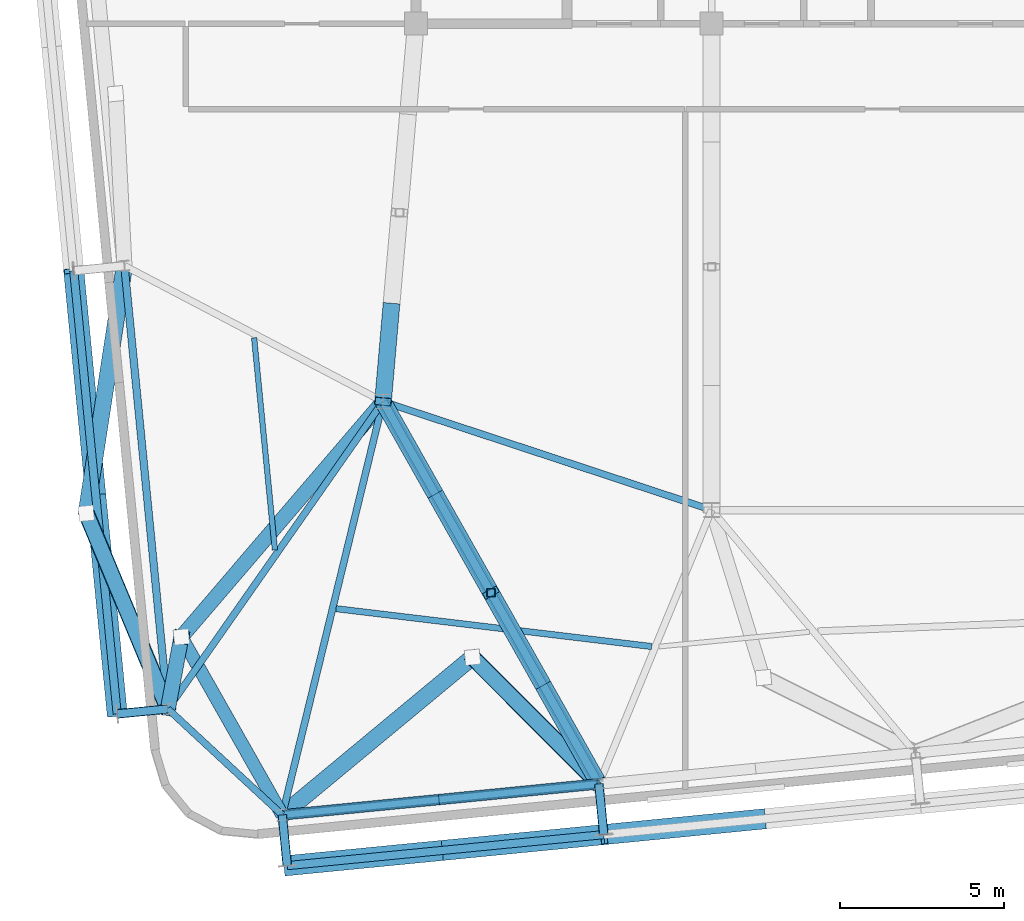
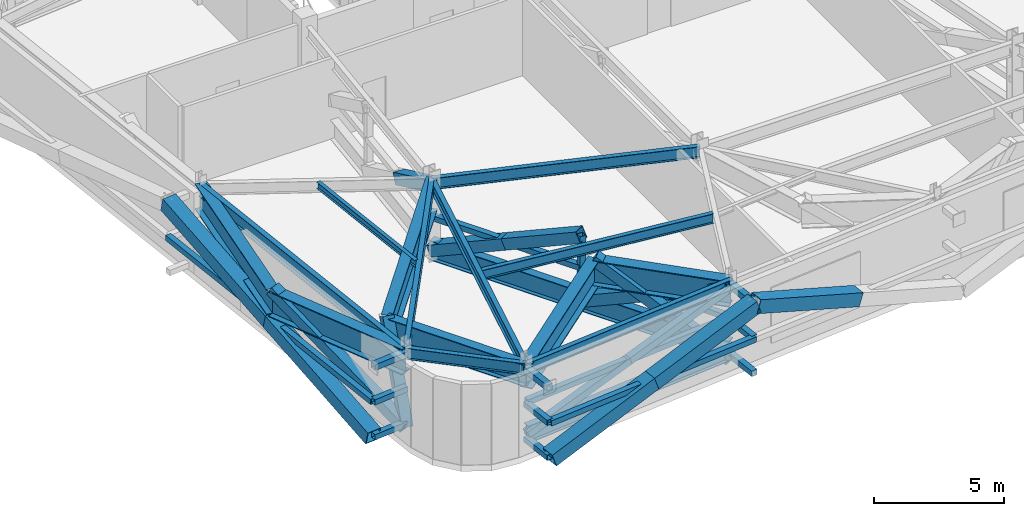
# One storey, part 5 of 24: 32 members, 14 beams.
"""IFC4 building model written with IfcOpenShell, lengths in metres."""

from ifc_helpers import new_model, si_unit, direction, frame, origin, origin_2d, place, context, subcontext, project, spatial, hollow_rectangle, i_section, extrude, source, transform, mapped, material, material_profile, profile_set, type_object, element, save


model = new_model("IFC4")

# Units and contexts
model_context = context("Model", 3, precision=1e-05, world=origin(), true_north=direction((0.0, 1.0)))
body_context = subcontext(model_context, "Body", "Model", "MODEL_VIEW")
ifc_project = project(units=[si_unit("LENGTHUNIT", "METRE"), si_unit("AREAUNIT", "SQUARE_METRE"), si_unit("VOLUMEUNIT", "CUBIC_METRE"), si_unit("PLANEANGLEUNIT", "RADIAN"), si_unit("MASSUNIT", "GRAM", prefix="KILO")], contexts=[model_context])

# Site, building, storey
site_placement = place(None, origin())
site = spatial("IfcSite", under=ifc_project, at=site_placement, CompositionType="ELEMENT")
building_placement = place(site_placement, origin())
building = spatial("IfcBuilding", under=site, at=building_placement, Name="Taldren Reach Tower", CompositionType="ELEMENT")
storey_placement = place(building_placement, frame((0.0, 0.0, 112.35009765625)))
storey = spatial("IfcBuildingStorey", under=building, at=storey_placement, Name="L34", CompositionType="ELEMENT", Elevation=112.35009765625)

# Beam
ifc_material_1 = material(Name="Steel Gr 350 (350PLUS)", Category="steel")
ifc_material_profile_1 = material_profile(ifc_material_1, i_section(OverallWidth=0.208984375, OverallDepth=0.532958984375, WebThickness=0.01025390625, FlangeThickness=0.015625, at=origin_2d()), Name="530UB92.4")
ifc_profile_set_1 = profile_set([ifc_material_profile_1], Name="Steel Gr 350 (350PLUS)")
beam_type_1 = type_object("IfcBeamType", Name="BM-UB530A", PredefinedType="BEAM", material=ifc_profile_set_1)
shared_shape_1 = source(origin(), body_context, "Body", "SweptSolid", [
    extrude(i_section(OverallWidth=0.208984375, OverallDepth=0.532958984375, WebThickness=0.01025390625, FlangeThickness=0.015625, at=origin_2d()), origin(), (0.0, 0.0, 1.0), 10.530517578125),
])
beam_1_placement = place(storey_placement, frame((18.0, 12.5, 3.513427734375), z_axis=(0.949627269203, -0.313381635689, 0.0), x_axis=(0.313381635689, 0.949627269203, 0.0)))
element("IfcBeam", 1, at=beam_1_placement, inside=storey, type_object=beam_type_1, Name="Core-spine girder L34-SP10", PredefinedType="BEAM", context=body_context, shape_type="MappedRepresentation", body=[
    mapped(shared_shape_1, transform((0.0, 0.0, 0.0), scale=1.0)),
])

# Members
ifc_material_2 = material(Name="Steel Gr 350 (C350L0)", Category="steel")
ifc_material_profile_2 = material_profile(ifc_material_2, hollow_rectangle(XDim=0.25, YDim=0.25, WallThickness=0.010009765625, at=origin_2d()), Name="250x250x10.0SHS")
ifc_profile_set_2 = profile_set([ifc_material_profile_2], Name="Steel Gr 350 (C350L0)")
member_type_1 = type_object("IfcMemberType", Name="MB-POST250", PredefinedType="POST", material=ifc_profile_set_2)
shared_shape_2 = source(origin(), body_context, "Body", "SweptSolid", [
    extrude(hollow_rectangle(XDim=0.25, YDim=0.25, WallThickness=0.010009765625, at=origin_2d()), origin(), (0.0, 0.0, 1.0), 1.5048828125),
])
member_1_placement = place(storey_placement, frame((21.283935546875, 6.682373046875, 0.449951171875), z_axis=(0.0, 0.0, 1.0), x_axis=(1.0, 0.0, 0.0)))
element("IfcMember", 2, at=member_1_placement, inside=storey, type_object=member_type_1, Name="Outrigger Transfer Truss Vertical Post OT-W2 L34", PredefinedType="POST", context=body_context, shape_type="MappedRepresentation", body=[
    mapped(shared_shape_2, transform((0.0, 0.0, 0.0), scale=1.0)),
])
shared_shape_3 = source(origin(), body_context, "Body", "SweptSolid", [
    extrude(hollow_rectangle(XDim=0.25, YDim=0.25, WallThickness=0.010009765625, at=origin_2d()), origin(), (0.0, 0.0, 1.0), 1.505126953125),
])
member_2_placement = place(storey_placement, frame((21.283935546875, 6.682373046875, 1.954833984375), z_axis=(0.0, 0.0, 1.0), x_axis=(1.0, 0.0, 0.0)))
element("IfcMember", 3, at=member_2_placement, inside=storey, type_object=member_type_1, Name="Outrigger Transfer Truss Vertical Post OT-W2 L34", PredefinedType="POST", context=body_context, shape_type="MappedRepresentation", body=[
    mapped(shared_shape_3, transform((0.0, 0.0, 0.0), scale=1.0)),
])
ifc_material_3 = material(Name="Steel Gr 450 (C450L0)", Category="steel")
ifc_material_profile_3 = material_profile(ifc_material_3, hollow_rectangle(XDim=0.510009765625, YDim=0.510009765625, WallThickness=0.02001953125, at=origin_2d()), Name="510x510x20.0SHS")
ifc_profile_set_3 = profile_set([ifc_material_profile_3], Name="Steel Gr 450 (C450L0)")
member_type_2 = type_object("IfcMemberType", Name="MB-EXO508", PredefinedType="BRACE", material=ifc_profile_set_3)
shared_shape_4 = source(origin(), body_context, "Body", "SweptSolid", [
    extrude(hollow_rectangle(XDim=0.510009765625, YDim=0.510009765625, WallThickness=0.02001953125, at=origin_2d()), origin(), (0.0, 0.0, 1.0), 3.2548828125),
])
member_3_placement = place(storey_placement, frame((18.25, 15.375, 1.954833984375), z_axis=(-0.076810327051, -0.883318761082, 0.462437174089), x_axis=(0.996240588196, -0.086629616365, 0.0)))
element("IfcMember", 4, at=member_3_placement, inside=storey, type_object=member_type_2, Name="Outrigger Transfer Truss Diagonal OT-W1B L34", PredefinedType="BRACE", context=body_context, shape_type="MappedRepresentation", body=[
    mapped(shared_shape_4, transform((0.0, 0.0, 0.0), scale=1.0)),
])

# Beams
ifc_material_profile_4 = material_profile(ifc_material_1, i_section(OverallWidth=0.208984375, OverallDepth=0.528076171875, WebThickness=0.009521484375, FlangeThickness=0.01318359375, at=origin_2d()), Name="530UB82.0")
ifc_profile_set_4 = profile_set([ifc_material_profile_4], Name="Steel Gr 350 (350PLUS)")
beam_type_2 = type_object("IfcBeamType", Name="SP-UB530B", PredefinedType="SPANDREL", material=ifc_profile_set_4)
shared_shape_5 = source(origin(), body_context, "Body", "SweptSolid", [
    extrude(i_section(OverallWidth=0.208984375, OverallDepth=0.528076171875, WebThickness=0.009521484375, FlangeThickness=0.01318359375, at=origin_2d()), origin(), (0.0, 0.0, 1.0), 9.679931640625),
])
beam_2_placement = place(storey_placement, frame((14.93408203125, -0.079833984375, 3.515869140625), z_axis=(0.995227612658, 0.097580730699, 0.0), x_axis=(-0.097580730699, 0.995227612658, 0.0)))
element("IfcBeam", 5, at=beam_2_placement, inside=storey, type_object=beam_type_2, Name="Perimeter spandrel B2 S1-S2 L34", PredefinedType="SPANDREL", context=body_context, shape_type="MappedRepresentation", body=[
    mapped(shared_shape_5, transform((0.0, 0.0, 0.0), scale=1.0)),
])
ifc_material_profile_5 = material_profile(ifc_material_1, i_section(OverallWidth=0.22802734375, OverallDepth=0.60205078125, WebThickness=0.010498046875, FlangeThickness=0.014892578125, at=origin_2d()), Name="610UB101")
ifc_profile_set_5 = profile_set([ifc_material_profile_5], Name="Steel Gr 350 (350PLUS)")
beam_type_3 = type_object("IfcBeamType", Name="BM-UB610B", PredefinedType="BEAM", material=ifc_profile_set_5)
shared_shape_6 = source(origin(), body_context, "Body", "SweptSolid", [
    extrude(i_section(OverallWidth=0.22802734375, OverallDepth=0.60205078125, WebThickness=0.010498046875, FlangeThickness=0.014892578125, at=origin_2d()), origin(), (0.0, 0.0, 1.0), 13.550048828125),
])
beam_3_placement = place(storey_placement, frame((10.130615234375, 16.631103515625, 3.47900390625), z_axis=(0.097584021339, -0.995227290009, 0.0), x_axis=(0.995227290009, 0.097584021339, 0.0)))
element("IfcBeam", 6, at=beam_3_placement, inside=storey, type_object=beam_type_3, Name="Perimeter gable girder B2 W2-W1 L34", PredefinedType="BEAM", context=body_context, shape_type="MappedRepresentation", body=[
    mapped(shared_shape_6, transform((0.0, 0.0, 0.0), scale=1.0)),
])
shared_shape_7 = source(origin(), body_context, "Body", "SweptSolid", [
    extrude(i_section(OverallWidth=0.208984375, OverallDepth=0.528076171875, WebThickness=0.009521484375, FlangeThickness=0.01318359375, at=origin_2d()), origin(), (0.0, 0.0, 1.0), 4.745849609375),
])
beam_4_placement = place(storey_placement, frame((11.452880859375, 3.145751953125, 3.515869140625), z_axis=(0.733524121458, -0.679663419083, 0.0), x_axis=(0.679663419083, 0.733524121458, 0.0)))
element("IfcBeam", 7, at=beam_4_placement, inside=storey, type_object=beam_type_2, Name="Perimeter spandrel B2 W1-S1 L34", PredefinedType="SPANDREL", context=body_context, shape_type="MappedRepresentation", body=[
    mapped(shared_shape_7, transform((0.0, 0.0, 0.0), scale=1.0)),
])
shared_shape_8 = source(origin(), body_context, "Body", "SweptSolid", [
    extrude(i_section(OverallWidth=0.208984375, OverallDepth=0.532958984375, WebThickness=0.01025390625, FlangeThickness=0.015625, at=origin_2d()), origin(), (0.0, 0.0, 1.0), 12.947998046875),
])
beam_5_placement = place(storey_placement, frame((18.0, 12.5, 3.513427734375), z_axis=(-0.236786022782, -0.971561824803, 0.0), x_axis=(0.971561824803, -0.236786022782, 0.0)))
element("IfcBeam", 8, at=beam_5_placement, inside=storey, type_object=beam_type_1, Name="Primary floor girder B2-S1 L34", PredefinedType="BEAM", context=body_context, shape_type="MappedRepresentation", body=[
    mapped(shared_shape_8, transform((0.0, 0.0, 0.0), scale=1.0)),
])
shared_shape_9 = source(origin(), body_context, "Body", "SweptSolid", [
    extrude(i_section(OverallWidth=0.208984375, OverallDepth=0.532958984375, WebThickness=0.01025390625, FlangeThickness=0.015625, at=origin_2d()), origin(), (0.0, 0.0, 1.0), 11.417724609375),
])
beam_6_placement = place(storey_placement, frame((18.0, 12.5, 3.513427734375), z_axis=(-0.573412116146, -0.819267077977, 0.0), x_axis=(0.819267077977, -0.573412116146, 0.0)))
element("IfcBeam", 9, at=beam_6_placement, inside=storey, type_object=beam_type_1, Name="Primary floor girder B2-W1 L34", PredefinedType="BEAM", context=body_context, shape_type="MappedRepresentation", body=[
    mapped(shared_shape_9, transform((0.0, 0.0, 0.0), scale=1.0)),
])
ifc_material_profile_6 = material_profile(ifc_material_1, i_section(OverallWidth=0.19091796875, OverallDepth=0.4599609375, WebThickness=0.010009765625, FlangeThickness=0.01611328125, at=origin_2d()), Name="460UB82.1")
ifc_profile_set_6 = profile_set([ifc_material_profile_6], Name="Steel Gr 350 (350PLUS)")
beam_type_4 = type_object("IfcBeamType", Name="BM-UB460A", PredefinedType="BEAM", material=ifc_profile_set_6)
shared_shape_10 = source(origin(), body_context, "Body", "SweptSolid", [
    extrude(i_section(OverallWidth=0.19091796875, OverallDepth=0.4599609375, WebThickness=0.010009765625, FlangeThickness=0.01611328125, at=origin_2d()), origin(), (0.0, 0.0, 1.0), 9.673583984375),
])
beam_7_placement = place(storey_placement, frame((16.571533203125, 6.197509765625, 3.5498046875), z_axis=(0.992879584922, -0.119122331431, 0.0), x_axis=(0.119122331431, 0.992879584922, 0.0)))
element("IfcBeam", 10, at=beam_7_placement, inside=storey, type_object=beam_type_4, Name="Secondary floor beam B2 J1 L34", PredefinedType="BEAM", context=body_context, shape_type="MappedRepresentation", body=[
    mapped(shared_shape_10, transform((0.0, 0.0, 0.0), scale=1.0)),
])
ifc_material_4 = material(Name="Steel Gr 300 (300PLUS, 300 MPa)", Category="steel")
ifc_material_profile_7 = material_profile(ifc_material_4, i_section(OverallWidth=0.166015625, OverallDepth=0.306884765625, WebThickness=0.006591796875, FlangeThickness=0.01171875, at=origin_2d()), Name="310UB46.2")
ifc_profile_set_7 = profile_set([ifc_material_profile_7], Name="Steel Gr 300 (300PLUS, 300 MPa)")
beam_type_5 = type_object("IfcBeamType", Name="JS-UB310", PredefinedType="JOIST", material=ifc_profile_set_7)
shared_shape_11 = source(origin(), body_context, "Body", "SweptSolid", [
    extrude(i_section(OverallWidth=0.166015625, OverallDepth=0.306884765625, WebThickness=0.006591796875, FlangeThickness=0.01171875, at=origin_2d()), origin(), (0.0, 0.0, 1.0), 6.489501953125),
])
beam_8_placement = place(storey_placement, frame((14.710693359375, 7.982666015625, 3.62646484375), z_axis=(-0.097588959486, 0.995226805802, 0.0), x_axis=(-0.995226805802, -0.097588959486, 0.0)))
element("IfcBeam", 11, at=beam_8_placement, inside=storey, type_object=beam_type_5, Name="Secondary floor joist B2 J6 L34", PredefinedType="JOIST", context=body_context, shape_type="MappedRepresentation", body=[
    mapped(shared_shape_11, transform((0.0, 0.0, 0.0), scale=1.0)),
])

# Members
ifc_material_profile_8 = material_profile(ifc_material_3, hollow_rectangle(XDim=0.27490234375, YDim=0.27490234375, WallThickness=0.00927734375, at=origin_2d()), Name="275x275x9.3SHS")
ifc_profile_set_8 = profile_set([ifc_material_profile_8], Name="Steel Gr 450 (C450L0)")
member_type_3 = type_object("IfcMemberType", Name="MB-TIE273", PredefinedType="STRUT", material=ifc_profile_set_8)
shared_shape_12 = source(origin(), body_context, "Body", "SweptSolid", [
    extrude(hollow_rectangle(XDim=0.27490234375, YDim=0.27490234375, WallThickness=0.00927734375, at=origin_2d()), origin(), (0.0, 0.0, 1.0), 1.550048828125),
])
for number, where, z_axis, x_axis, name in (
    (12, (14.93408203125, -0.079833984375, 3.5), (0.097647892962, -0.9952210252, 0.0), (0.9952210252, 0.097647892962, 0.0), "Exoskeleton diaphragm tie strut B2-S1 L34"),
    (13, (24.56787109375, 0.86474609375, 3.5), (0.097647892962, -0.9952210252, 0.0), (0.9952210252, 0.097647892962, 0.0), "Exoskeleton diaphragm tie strut B2-S2 L34"),
    (14, (11.452880859375, 3.145751953125, 3.5), (-0.995236318924, -0.097491894511, 0.0), (0.097491894511, -0.995236318924, 0.0), "Exoskeleton diaphragm tie strut B2-W1 L34"),
):
    element("IfcMember", number, at=place(storey_placement, frame(where, z_axis=z_axis, x_axis=x_axis)), inside=storey, type_object=member_type_3, Name=name, PredefinedType="STRUT", context=body_context, shape_type="MappedRepresentation", body=[
        mapped(shared_shape_12, transform((0.0, 0.0, 0.0), scale=1.0)),
    ])
shared_shape_13 = source(origin(), body_context, "Body", "SweptSolid", [
    extrude(hollow_rectangle(XDim=0.25, YDim=0.25, WallThickness=0.010009765625, at=origin_2d()), origin(), (0.0, 0.0, 1.0), 9.679931640625),
])
for number, where, z_axis, x_axis, name in (
    (15, (14.93408203125, -0.079833984375, 1.954833984375), (0.995227612658, 0.097580730699, 0.0), (-0.097580730699, 0.995227612658, 0.0), "Belt Truss Transfer Mid Chord S1 L34"),
    (16, (15.08544921875, -1.62255859375, 1.85986328125), (0.995227612658, 0.097580730699, 0.0), (-0.097580730699, 0.995227612658, 0.0), "Exoskeleton mid-height ring chord B2-S1 L34"),
):
    element("IfcMember", number, at=place(storey_placement, frame(where, z_axis=z_axis, x_axis=x_axis)), inside=storey, type_object=member_type_1, Name=name, PredefinedType="POST", context=body_context, shape_type="MappedRepresentation", body=[
        mapped(shared_shape_13, transform((0.0, 0.0, 0.0), scale=1.0)),
    ])
shared_shape_14 = source(origin(), body_context, "Body", "SweptSolid", [
    extrude(hollow_rectangle(XDim=0.25, YDim=0.25, WallThickness=0.010009765625, at=origin_2d()), origin(), (0.0, 0.0, 1.0), 1.550048828125),
])
for number, where, z_axis, x_axis, name in (
    (17, (14.93408203125, -0.079833984375, 0.219970703125), (0.097647892962, -0.9952210252, 0.0), (0.9952210252, 0.097647892962, 0.0), "Exoskeleton base diaphragm tie strut B2-S1 L34"),
    (18, (24.56787109375, 0.86474609375, 0.219970703125), (0.097647892962, -0.9952210252, 0.0), (0.9952210252, 0.097647892962, 0.0), "Exoskeleton base diaphragm tie strut B2-S2 L34"),
    (19, (11.452880859375, 3.145751953125, 0.219970703125), (-0.995236318924, -0.097491894511, 0.0), (0.097491894511, -0.995236318924, 0.0), "Exoskeleton base diaphragm tie strut B2-W1 L34"),
    (20, (14.93408203125, -0.079833984375, 1.85986328125), (0.097647892962, -0.9952210252, 0.0), (0.9952210252, 0.097647892962, 0.0), "Exoskeleton mid-tier diaphragm tie B2-S1 L34"),
    (21, (24.56787109375, 0.86474609375, 1.85986328125), (0.097647892962, -0.9952210252, 0.0), (0.9952210252, 0.097647892962, 0.0), "Exoskeleton mid-tier diaphragm tie B2-S2 L34"),
    (22, (11.452880859375, 3.145751953125, 1.85986328125), (-0.995236318924, -0.097491894511, 0.0), (0.097491894511, -0.995236318924, 0.0), "Exoskeleton mid-tier diaphragm tie B2-W1 L34"),
):
    element("IfcMember", number, at=place(storey_placement, frame(where, z_axis=z_axis, x_axis=x_axis)), inside=storey, type_object=member_type_1, Name=name, PredefinedType="POST", context=body_context, shape_type="MappedRepresentation", body=[
        mapped(shared_shape_14, transform((0.0, 0.0, 0.0), scale=1.0)),
    ])
shared_shape_15 = source(origin(), body_context, "Body", "SweptSolid", [
    extrude(hollow_rectangle(XDim=0.25, YDim=0.25, WallThickness=0.010009765625, at=origin_2d()), origin(), (0.0, 0.0, 1.0), 13.5498046875),
])
member_4_placement = place(storey_placement, frame((9.91015625, 2.99462890625, 1.85986328125), z_axis=(-0.097585771221, 0.995227118428, 0.0), x_axis=(-0.995227118428, -0.097585771221, 0.0)))
element("IfcMember", 23, at=member_4_placement, inside=storey, type_object=member_type_1, Name="Exoskeleton mid-height ring chord B2-W1 L34", PredefinedType="POST", context=body_context, shape_type="MappedRepresentation", body=[
    mapped(shared_shape_15, transform((0.0, 0.0, 0.0), scale=1.0)),
])
ifc_material_profile_9 = material_profile(ifc_material_3, hollow_rectangle(XDim=0.4599609375, YDim=0.4599609375, WallThickness=0.01611328125, at=origin_2d()), Name="460x460x16.0SHS")
ifc_profile_set_9 = profile_set([ifc_material_profile_9], Name="Steel Gr 450 (C450L0)")
member_type_4 = type_object("IfcMemberType", Name="MB-EXO457", PredefinedType="BRACE", material=ifc_profile_set_9)
shared_shape_16 = source(origin(), body_context, "Body", "SweptSolid", [
    extrude(hollow_rectangle(XDim=0.4599609375, YDim=0.4599609375, WallThickness=0.01611328125, at=origin_2d()), origin(), (0.0, 0.0, 1.0), 4.371826171875),
])
member_5_placement = place(storey_placement, frame((11.452880859375, 3.145751953125, 0.02001953125), z_axis=(0.09393167624, 0.501546007317, 0.860016536319), x_axis=(-0.982910574003, 0.184083686168, 0.0)))
element("IfcMember", 24, at=member_5_placement, inside=storey, type_object=member_type_4, Name="Outrigger Belt Truss Transfer Strut TS-B3-S1 L34", PredefinedType="BRACE", context=body_context, shape_type="MappedRepresentation", body=[
    mapped(shared_shape_16, transform((0.0, 0.0, 0.0), scale=1.0)),
])

# Beams
ifc_material_profile_10 = material_profile(ifc_material_1, i_section(OverallWidth=0.449951171875, OverallDepth=1.5, WebThickness=0.02001953125, FlangeThickness=0.0439453125, at=origin_2d()), Name="1500WB550")
ifc_profile_set_10 = profile_set([ifc_material_profile_10], Name="Steel Gr 350 (350PLUS)")
beam_type_6 = type_object("IfcBeamType", Name="BM-PG1500", PredefinedType="BEAM", material=ifc_profile_set_10)
shared_shape_17 = source(origin(), body_context, "Body", "SweptSolid", [
    extrude(i_section(OverallWidth=0.449951171875, OverallDepth=1.5, WebThickness=0.02001953125, FlangeThickness=0.0439453125, at=origin_2d()), origin(), (0.0, 0.0, 1.0), 9.43115234375),
])
beam_9_placement = place(storey_placement, frame((18.0, 12.5, 3.02978515625), z_axis=(-0.650665584965, -0.759364402999, 0.0), x_axis=(0.759364402999, -0.650665584965, 0.0)))
element("IfcBeam", 25, at=beam_9_placement, inside=storey, type_object=beam_type_6, Name="Belt Truss Transfer Girder TG-B3-S1A on L34", PredefinedType="BEAM", context=body_context, shape_type="MappedRepresentation", body=[
    mapped(shared_shape_17, transform((0.0, 0.0, 0.0), scale=1.0)),
])
ifc_material_profile_11 = material_profile(ifc_material_1, i_section(OverallWidth=0.39990234375, OverallDepth=1.02392578125, WebThickness=0.01611328125, FlangeThickness=0.031982421875, at=origin_2d()), Name="1000WB322")
ifc_profile_set_11 = profile_set([ifc_material_profile_11], Name="Steel Gr 350 (350PLUS)")
beam_type_7 = type_object("IfcBeamType", Name="BM-WB1000", PredefinedType="BEAM", material=ifc_profile_set_11)
shared_shape_18 = source(origin(), body_context, "Body", "SweptSolid", [
    extrude(i_section(OverallWidth=0.39990234375, OverallDepth=1.02392578125, WebThickness=0.01611328125, FlangeThickness=0.031982421875, at=origin_2d()), origin(), (0.0, 0.0, 1.0), 6.227783203125),
])
beam_10_placement = place(storey_placement, frame((14.93408203125, -0.079833984375, 3.267822265625), z_axis=(-0.493041255969, 0.870005930964, 0.0), x_axis=(-0.870005930964, -0.493041255969, 0.0)))
element("IfcBeam", 26, at=beam_10_placement, inside=storey, type_object=beam_type_7, Name="Belt Truss Transfer Tie Girder TG-B3-S1B on L34", PredefinedType="BEAM", context=body_context, shape_type="MappedRepresentation", body=[
    mapped(shared_shape_18, transform((0.0, 0.0, 0.0), scale=1.0)),
])

# Member
shared_shape_19 = source(origin(), body_context, "Body", "SweptSolid", [
    extrude(hollow_rectangle(XDim=0.4599609375, YDim=0.4599609375, WallThickness=0.01611328125, at=origin_2d()), origin(), (0.0, 0.0, 1.0), 6.616943359375),
])
member_6_placement = place(storey_placement, frame((24.56787109375, 0.86474609375, 0.02001953125), z_axis=(-0.58123754828, 0.582492044354, 0.568212927285), x_axis=(-0.707868628308, -0.706344112354, 0.0)))
element("IfcMember", 27, at=member_6_placement, inside=storey, type_object=member_type_4, Name="Outrigger Belt Truss Transfer Strut TS-B3-S2 L34", PredefinedType="BRACE", context=body_context, shape_type="MappedRepresentation", body=[
    mapped(shared_shape_19, transform((0.0, 0.0, 0.0), scale=1.0)),
])

# Beams
ifc_material_profile_12 = material_profile(ifc_material_1, i_section(OverallWidth=0.5, OverallDepth=1.199951171875, WebThickness=0.01611328125, FlangeThickness=0.0400390625, at=origin_2d()), Name="1200WB455")
ifc_profile_set_12 = profile_set([ifc_material_profile_12], Name="Steel Gr 350 (350PLUS)")
beam_type_8 = type_object("IfcBeamType", Name="BM-WB1200", PredefinedType="BEAM", material=ifc_profile_set_12)
shared_shape_20 = source(origin(), body_context, "Body", "SweptSolid", [
    extrude(i_section(OverallWidth=0.5, OverallDepth=1.199951171875, WebThickness=0.01611328125, FlangeThickness=0.0400390625, at=origin_2d()), origin(), (0.0, 0.0, 1.0), 5.44482421875),
])
beam_11_placement = place(storey_placement, frame((24.56787109375, 0.86474609375, 3.179931640625), z_axis=(-0.706344112354, 0.707868628308, 0.0), x_axis=(-0.707868628308, -0.706344112354, 0.0)))
element("IfcBeam", 28, at=beam_11_placement, inside=storey, type_object=beam_type_8, Name="Belt Truss Transfer Girder TG-B3-S2A on L34", PredefinedType="BEAM", context=body_context, shape_type="MappedRepresentation", body=[
    mapped(shared_shape_20, transform((0.0, 0.0, 0.0), scale=1.0)),
])
shared_shape_21 = source(origin(), body_context, "Body", "SweptSolid", [
    extrude(i_section(OverallWidth=0.5, OverallDepth=1.199951171875, WebThickness=0.01611328125, FlangeThickness=0.0400390625, at=origin_2d()), origin(), (0.0, 0.0, 1.0), 7.5185546875),
])
beam_12_placement = place(storey_placement, frame((14.93408203125, -0.079833984375, 3.179931640625), z_axis=(0.769813218248, 0.638269229252, 0.0), x_axis=(-0.638269229252, 0.769813218248, 0.0)))
element("IfcBeam", 29, at=beam_12_placement, inside=storey, type_object=beam_type_8, Name="Belt Truss Transfer Tie Girder TG-B3-S2B on L34", PredefinedType="BEAM", context=body_context, shape_type="MappedRepresentation", body=[
    mapped(shared_shape_21, transform((0.0, 0.0, 0.0), scale=1.0)),
])

# Member
shared_shape_22 = source(origin(), body_context, "Body", "SweptSolid", [
    extrude(hollow_rectangle(XDim=0.4599609375, YDim=0.4599609375, WallThickness=0.01611328125, at=origin_2d()), origin(), (0.0, 0.0, 1.0), 7.467041015625),
])
member_7_placement = place(storey_placement, frame((11.452880859375, 3.145751953125, 0.02001953125), z_axis=(-0.332684011362, 0.797362652096, 0.503521746926), x_axis=(-0.922892077087, -0.385058715068, 0.0)))
element("IfcMember", 30, at=member_7_placement, inside=storey, type_object=member_type_4, Name="Outrigger Belt Truss Transfer Strut TS-B3-W1 L34", PredefinedType="BRACE", context=body_context, shape_type="MappedRepresentation", body=[
    mapped(shared_shape_22, transform((0.0, 0.0, 0.0), scale=1.0)),
])

# Beams
shared_shape_23 = source(origin(), body_context, "Body", "SweptSolid", [
    extrude(i_section(OverallWidth=0.5, OverallDepth=1.199951171875, WebThickness=0.01611328125, FlangeThickness=0.0400390625, at=origin_2d()), origin(), (0.0, 0.0, 1.0), 6.451416015625),
])
beam_13_placement = place(storey_placement, frame((11.452880859375, 3.145751953125, 3.179931640625), z_axis=(-0.385058715068, 0.922892077087, 0.0), x_axis=(-0.922892077087, -0.385058715068, 0.0)))
element("IfcBeam", 31, at=beam_13_placement, inside=storey, type_object=beam_type_8, Name="Belt Truss Transfer Girder TG-B3-W1A on L34", PredefinedType="BEAM", context=body_context, shape_type="MappedRepresentation", body=[
    mapped(shared_shape_23, transform((0.0, 0.0, 0.0), scale=1.0)),
])
shared_shape_24 = source(origin(), body_context, "Body", "SweptSolid", [
    extrude(i_section(OverallWidth=0.5, OverallDepth=1.199951171875, WebThickness=0.01611328125, FlangeThickness=0.0400390625, at=origin_2d()), origin(), (0.0, 0.0, 1.0), 7.62060546875),
])
beam_14_placement = place(storey_placement, frame((10.130615234375, 16.631103515625, 3.179931640625), z_axis=(-0.152464022592, -0.988309021417, 0.0), x_axis=(0.988309021417, -0.152464022592, 0.0)))
element("IfcBeam", 32, at=beam_14_placement, inside=storey, type_object=beam_type_8, Name="Belt Truss Transfer Tie Girder TG-B3-W1B on L34", PredefinedType="BEAM", context=body_context, shape_type="MappedRepresentation", body=[
    mapped(shared_shape_24, transform((0.0, 0.0, 0.0), scale=1.0)),
])

# Members
ifc_material_profile_13 = material_profile(ifc_material_1, i_section(OverallWidth=0.35009765625, OverallDepth=0.916015625, WebThickness=0.013916015625, FlangeThickness=0.028076171875, at=origin_2d()), Name="900WB257")
ifc_profile_set_13 = profile_set([ifc_material_profile_13], Name="Steel Gr 350 (350PLUS)")
member_type_5 = type_object("IfcMemberType", Name="MB-CH900", PredefinedType="CHORD", material=ifc_profile_set_13)
shared_shape_25 = source(origin(), body_context, "Body", "SweptSolid", [
    extrude(i_section(OverallWidth=0.35009765625, OverallDepth=0.916015625, WebThickness=0.013916015625, FlangeThickness=0.028076171875, at=origin_2d()), origin(), (0.0, 0.0, 1.0), 13.361083984375),
])
member_8_placement = place(storey_placement, frame((18.0, 12.5, 0.449951171875), z_axis=(0.491570677223, -0.870837682518, 0.0), x_axis=(0.870837682518, 0.491570677223, 0.0)))
element("IfcMember", 33, at=member_8_placement, inside=storey, type_object=member_type_5, Name="Outrigger Transfer Truss Bottom Chord OT-W2 L34", PredefinedType="CHORD", context=body_context, shape_type="MappedRepresentation", body=[
    mapped(shared_shape_25, transform((0.0, 0.0, 0.0), scale=1.0)),
])
shared_shape_26 = source(origin(), body_context, "Body", "SweptSolid", [
    extrude(hollow_rectangle(XDim=0.25, YDim=0.25, WallThickness=0.010009765625, at=origin_2d()), origin(), (0.0, 0.0, 1.0), 13.361083984375),
])
member_9_placement = place(storey_placement, frame((18.0, 12.5, 1.954833984375), z_axis=(0.491570677223, -0.870837682518, 0.0), x_axis=(0.870837682518, 0.491570677223, 0.0)))
element("IfcMember", 34, at=member_9_placement, inside=storey, type_object=member_type_1, Name="Outrigger Transfer Truss Mid Chord OT-W2 L34", PredefinedType="POST", context=body_context, shape_type="MappedRepresentation", body=[
    mapped(shared_shape_26, transform((0.0, 0.0, 0.0), scale=1.0)),
])
shared_shape_27 = source(origin(), body_context, "Body", "SweptSolid", [
    extrude(hollow_rectangle(XDim=0.510009765625, YDim=0.510009765625, WallThickness=0.02001953125, at=origin_2d()), origin(), (0.0, 0.0, 1.0), 3.663818359375),
])
for number, where, z_axis, x_axis, name in (
    (35, (18.0, 12.5, 0.449951171875), (0.448199652721, -0.793978421376, 0.410749726342), (0.870830869397, 0.491582746753, 0.0), "Outrigger Transfer Truss Diagonal OT-W2A L34"),
    (36, (21.283935546875, 6.682373046875, 0.449951171875), (0.448199652721, -0.793978421376, 0.410749726342), (0.870830869397, 0.491582746753, 0.0), "Outrigger Transfer Truss Diagonal OT-W2B L34"),
):
    element("IfcMember", number, at=place(storey_placement, frame(where, z_axis=z_axis, x_axis=x_axis)), inside=storey, type_object=member_type_2, Name=name, PredefinedType="BRACE", context=body_context, shape_type="MappedRepresentation", body=[
        mapped(shared_shape_27, transform((0.0, 0.0, 0.0), scale=1.0)),
    ])
shared_shape_28 = source(origin(), body_context, "Body", "SweptSolid", [
    extrude(hollow_rectangle(XDim=0.510009765625, YDim=0.510009765625, WallThickness=0.02001953125, at=origin_2d()), origin(), (0.0, 0.0, 1.0), 3.66357421875),
])
for number, where, z_axis, x_axis, name in (
    (37, (19.64208984375, 9.591064453125, 1.954833984375), (0.448157843188, -0.793955768586, 0.41083912316), (0.870844496151, 0.491558606397, 0.0), "Outrigger Transfer Truss Diagonal OT-W2A L34"),
    (38, (22.926025390625, 3.7734375, 1.954833984375), (0.448157843188, -0.793955768586, 0.41083912316), (0.870844496151, 0.491558606397, 0.0), "Outrigger Transfer Truss Diagonal OT-W2B L34"),
):
    element("IfcMember", number, at=place(storey_placement, frame(where, z_axis=z_axis, x_axis=x_axis)), inside=storey, type_object=member_type_2, Name=name, PredefinedType="BRACE", context=body_context, shape_type="MappedRepresentation", body=[
        mapped(shared_shape_28, transform((0.0, 0.0, 0.0), scale=1.0)),
    ])
ifc_material_profile_14 = material_profile(ifc_material_1, i_section(OverallWidth=0.300048828125, OverallDepth=0.81591796875, WebThickness=0.011962890625, FlangeThickness=0.02392578125, at=origin_2d()), Name="800WB192")
ifc_profile_set_14 = profile_set([ifc_material_profile_14], Name="Steel Gr 350 (350PLUS)")
member_type_6 = type_object("IfcMemberType", Name="MB-CH800", PredefinedType="CHORD", material=ifc_profile_set_14)
shared_shape_29 = source(origin(), body_context, "Body", "SweptSolid", [
    extrude(i_section(OverallWidth=0.300048828125, OverallDepth=0.81591796875, WebThickness=0.011962890625, FlangeThickness=0.02392578125, at=origin_2d()), origin(), (0.0, 0.0, 1.0), 9.679931640625),
])
member_10_placement = place(storey_placement, frame((14.93408203125, -0.079833984375, 0.449951171875), z_axis=(0.995227612658, 0.097580730699, 0.0), x_axis=(-0.097580730699, 0.995227612658, 0.0)))
element("IfcMember", 39, at=member_10_placement, inside=storey, type_object=member_type_6, Name="Belt Truss Transfer Bottom Chord S1 L34", PredefinedType="CHORD", context=body_context, shape_type="MappedRepresentation", body=[
    mapped(shared_shape_29, transform((0.0, 0.0, 0.0), scale=1.0)),
])
ifc_material_profile_15 = material_profile(ifc_material_3, hollow_rectangle(XDim=0.324951171875, YDim=0.324951171875, WallThickness=0.0126953125, at=origin_2d()), Name="325x325x12.7SHS")
ifc_profile_set_15 = profile_set([ifc_material_profile_15], Name="Steel Gr 450 (C450L0)")
member_type_7 = type_object("IfcMemberType", Name="MB-BR324", PredefinedType="BRACE", material=ifc_profile_set_15)
shared_shape_30 = source(origin(), body_context, "Body", "SweptSolid", [
    extrude(hollow_rectangle(XDim=0.324951171875, YDim=0.324951171875, WallThickness=0.0126953125, at=origin_2d()), origin(), (0.0, 0.0, 1.0), 5.068603515625),
])
for number, where, z_axis, x_axis, name in (
    (40, (14.93408203125, -0.079833984375, 0.449951171875), (0.950351671839, 0.093156621051, 0.296906624694), (-0.097555749586, 0.995230061706, 0.0), "Belt Truss Transfer Diagonal S1 L34"),
    (41, (19.7509765625, 0.392333984375, 1.954833984375), (0.950333814448, 0.093203037555, 0.296949212675), (-0.097605711627, 0.995225162995, 0.0), "Belt Truss Transfer Diagonal S1 L34"),
):
    element("IfcMember", number, at=place(storey_placement, frame(where, z_axis=z_axis, x_axis=x_axis)), inside=storey, type_object=member_type_7, Name=name, PredefinedType="BRACE", context=body_context, shape_type="MappedRepresentation", body=[
        mapped(shared_shape_30, transform((0.0, 0.0, 0.0), scale=1.0)),
    ])
ifc_material_profile_16 = material_profile(ifc_material_3, hollow_rectangle(XDim=0.614990234375, YDim=0.614990234375, WallThickness=0.02490234375, at=origin_2d()), Name="615x615x25.0SHS")
ifc_profile_set_16 = profile_set([ifc_material_profile_16], Name="Steel Gr 450 (C450L0)")
member_type_8 = type_object("IfcMemberType", Name="MB-EXO610", PredefinedType="BRACE", material=ifc_profile_set_16)
shared_shape_31 = source(origin(), body_context, "Body", "SweptSolid", [
    extrude(hollow_rectangle(XDim=0.614990234375, YDim=0.614990234375, WallThickness=0.02490234375, at=origin_2d()), origin(), (0.0, 0.0, 1.0), 5.1103515625),
])
for number, where, z_axis, x_axis, name in (
    (42, (15.08544921875, -1.62255859375, 0.219970703125), (0.942590384848, 0.092443608448, 0.320901146225), (-0.097605711627, 0.995225162995, 0.0), "Exoskeleton Diagrid Brace B2-S1 L34"),
    (43, (19.90234375, -1.150146484375, 1.85986328125), (0.94258009502, 0.09239482533, 0.320945417047), (-0.097555749586, 0.995230061706, 0.0), "Exoskeleton Diagrid Brace B2-S1 L34"),
    (44, (29.5361328125, -0.20556640625, 1.85986328125), (-0.942575933361, -0.092442191133, 0.320944000016), (0.097605711627, -0.995225162995, 0.0), "Exoskeleton Diagrid Brace B2-S2 L34"),
):
    element("IfcMember", number, at=place(storey_placement, frame(where, z_axis=z_axis, x_axis=x_axis)), inside=storey, type_object=member_type_8, Name=name, PredefinedType="BRACE", context=body_context, shape_type="MappedRepresentation", body=[
        mapped(shared_shape_31, transform((0.0, 0.0, 0.0), scale=1.0)),
    ])
shared_shape_32 = source(origin(), body_context, "Body", "SweptSolid", [
    extrude(hollow_rectangle(XDim=0.614990234375, YDim=0.614990234375, WallThickness=0.02490234375, at=origin_2d()), origin(), (0.0, 0.0, 1.0), 6.970703125),
])
member_11_placement = place(storey_placement, frame((9.91015625, 2.99462890625, 0.219970703125), z_axis=(-0.094845158987, 0.967294535045, 0.235256622199), x_axis=(-0.995227290009, -0.097584021339, 0.0)))
element("IfcMember", 45, at=member_11_placement, inside=storey, type_object=member_type_8, Name="Exoskeleton Diagrid Brace B2-W1 L34", PredefinedType="BRACE", context=body_context, shape_type="MappedRepresentation", body=[
    mapped(shared_shape_32, transform((0.0, 0.0, 0.0), scale=1.0)),
])
shared_shape_33 = source(origin(), body_context, "Body", "SweptSolid", [
    extrude(hollow_rectangle(XDim=0.614990234375, YDim=0.614990234375, WallThickness=0.02490234375, at=origin_2d()), origin(), (0.0, 0.0, 1.0), 6.970458984375),
])
member_12_placement = place(storey_placement, frame((9.2490234375, 9.7373046875, 1.85986328125), z_axis=(-0.094847590694, 0.96728431026, 0.235297678833), x_axis=(-0.995226946838, -0.097587521166, 0.0)))
element("IfcMember", 46, at=member_12_placement, inside=storey, type_object=member_type_8, Name="Exoskeleton Diagrid Brace B2-W1 L34", PredefinedType="BRACE", context=body_context, shape_type="MappedRepresentation", body=[
    mapped(shared_shape_33, transform((0.0, 0.0, 0.0), scale=1.0)),
])

save(model, "model.ifc")
